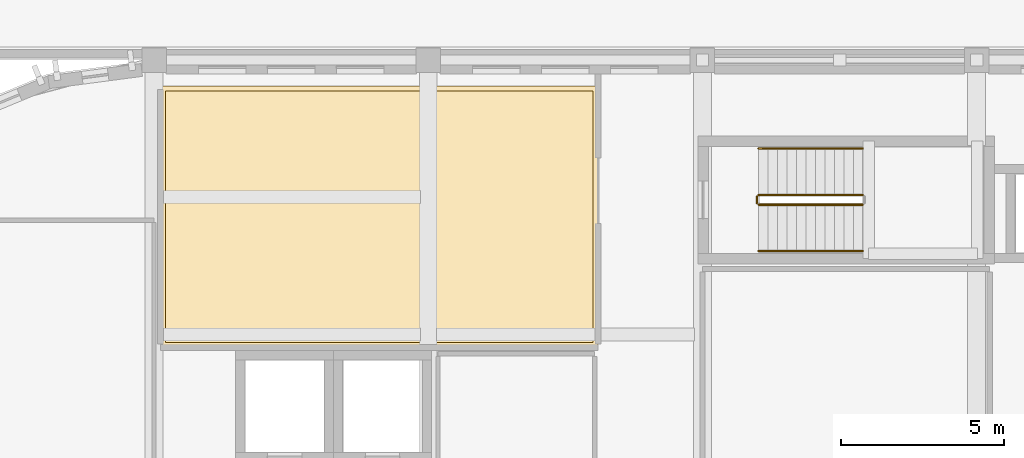
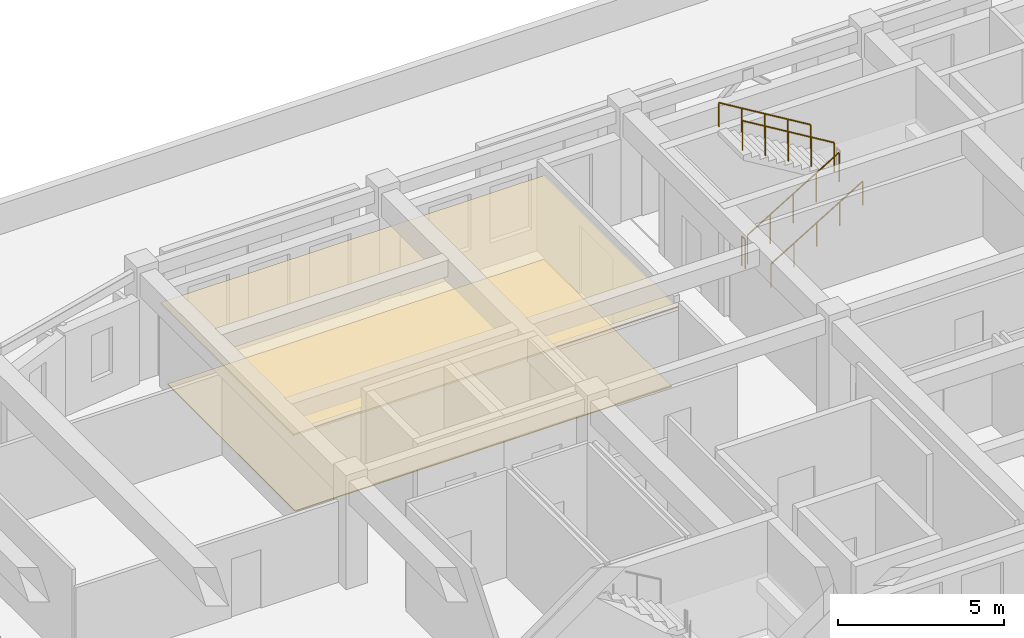
# One storey, part 43 of 46: 5 railings, 2 coverings.
"""IFC4 building model written with IfcOpenShell, lengths in metres."""

from ifc_helpers import new_model, si_unit, direction, frame, origin, origin_2d, place, context, subcontext, project, spatial, polyline, circle, outline, extrude, material, layer, layer_set, type_object, element, save


model = new_model("IFC4")

# Units and contexts
model_context = context("Model", 3, precision=1e-05, world=origin(), true_north=direction((0.0, 1.0)))
body_context = subcontext(model_context, "Body", "Model", "MODEL_VIEW")
ifc_project = project(units=[si_unit("LENGTHUNIT", "METRE"), si_unit("AREAUNIT", "SQUARE_METRE"), si_unit("VOLUMEUNIT", "CUBIC_METRE"), si_unit("PLANEANGLEUNIT", "RADIAN"), si_unit("MASSUNIT", "GRAM", prefix="KILO")], contexts=[model_context])

# Site, building, storey
site_placement = place(None, origin())
site = spatial("IfcSite", under=ifc_project, at=site_placement, CompositionType="ELEMENT")
building_placement = place(site_placement, origin())
building = spatial("IfcBuilding", under=site, at=building_placement, Name="Tarnavel Promenade Courthouse", CompositionType="ELEMENT")
storey_placement = place(building_placement, frame((0.0, 0.0, 14.39990234375)))
storey = spatial("IfcBuildingStorey", under=building, at=storey_placement, Name="L04", CompositionType="ELEMENT", Elevation=14.39990234375)

# Railings
ifc_material_1 = material(Name="Brushed Bronze Tubular Stair Handrail")
railing_type_1 = type_object("IfcRailingType", Name="Brushed Bronze Tubular Stair Handrail (RL-HND-0900)", PredefinedType="HANDRAIL", material=ifc_material_1)
railing_1_placement = place(storey_placement, frame((77.320068359375, 98.550048828125, 0.175048828125)))
element("IfcRailing", 1, at=railing_1_placement, inside=storey, type_object=railing_type_1, Name="L04 ST-03 stair handrail 1", PredefinedType="HANDRAIL", context=body_context, shape_type="SweptSolid", body=[
    extrude(circle(Radius=0.02392578125, at=origin_2d()), frame((0.0, 0.0, 0.8759765625), z_axis=(0.856177665481, 0.0, 0.516681531633), x_axis=(0.0, 1.0, 0.0)), (0.0, 0.0, 1.0), 3.725830078125),
    extrude(circle(Radius=0.02099609375, at=origin_2d()), origin(), (0.0, 0.0, 1.0), 0.851806640625),
    extrude(circle(Radius=0.02099609375, at=origin_2d()), frame((0.79736328125, 0.0, 0.481201171875)), (0.0, 0.0, 1.0), 0.851806640625),
    extrude(circle(Radius=0.02099609375, at=origin_2d()), frame((1.594970703125, 0.0, 0.96240234375)), (0.0, 0.0, 1.0), 0.851806640625),
    extrude(circle(Radius=0.02099609375, at=origin_2d()), frame((2.392578125, 0.0, 1.44384765625)), (0.0, 0.0, 1.0), 0.851806640625),
    extrude(circle(Radius=0.02099609375, at=origin_2d()), frame((3.18994140625, 0.0, 1.925048828125)), (0.0, 0.0, 1.0), 0.851806640625),
])
railing_2_placement = place(storey_placement, frame((80.510009765625, 101.68994140625, 2.275146484375)))
element("IfcRailing", 2, at=railing_2_placement, inside=storey, type_object=railing_type_1, Name="L04 ST-03 stair handrail 2", PredefinedType="HANDRAIL", context=body_context, shape_type="SweptSolid", body=[
    extrude(circle(Radius=0.02392578125, at=origin_2d()), frame((0.0, 0.0, 0.8759765625), z_axis=(-0.856177665481, 0.0, 0.516681531633), x_axis=(0.0, -1.0, 0.0)), (0.0, 0.0, 1.0), 3.725830078125),
    extrude(circle(Radius=0.02099609375, at=origin_2d()), origin(), (0.0, 0.0, 1.0), 0.851806640625),
    extrude(circle(Radius=0.02099609375, at=origin_2d()), frame((-0.79736328125, 0.0, 0.481201171875)), (0.0, 0.0, 1.0), 0.851806640625),
    extrude(circle(Radius=0.02099609375, at=origin_2d()), frame((-1.594970703125, 0.0, 0.96240234375)), (0.0, 0.0, 1.0), 0.851806640625),
    extrude(circle(Radius=0.02099609375, at=origin_2d()), frame((-2.392578125, 0.0, 1.44384765625)), (0.0, 0.0, 1.0), 0.851806640625),
    extrude(circle(Radius=0.02099609375, at=origin_2d()), frame((-3.18994140625, 0.0, 1.925048828125)), (0.0, 0.0, 1.0), 0.851806640625),
])

# Covering
ifc_material_2 = material(Name="Engineered Smoked Oak Courtroom & Chambers Parquet")
ifc_layer_1 = layer(ifc_material_2, 0.031982421875)
ifc_layer_set_1 = layer_set([ifc_layer_1], Name="Engineered Smoked Oak Courtroom & Chambers Parquet")
covering_type_1 = type_object("IfcCoveringType", Name="Engineered Smoked Oak Courtroom & Chambers Parquet (COV-FLR-OAK-32)", PredefinedType="FLOORING", material=ifc_layer_set_1)
covering_1_placement = place(storey_placement, origin())
element("IfcCovering", 3, at=covering_1_placement, inside=storey, type_object=covering_type_1, Name="L04 Constitutional Review Courtroom Architectural Flooring 0029", PredefinedType="FLOORING", context=body_context, shape_type="SweptSolid", body=[
    extrude(outline(polyline([(59.14990234375, 95.75), (72.25, 95.75), (72.25, 103.449951171875), (59.14990234375, 103.449951171875), (59.14990234375, 95.75)])), origin(), (0.0, 0.0, 1.0), 0.031982421875),
])

# Railings
ifc_material_3 = material(Name="Painted Architectural Steel Core Stair Guardrail", Category="steel")
railing_type_2 = type_object("IfcRailingType", Name="Painted Architectural Steel Core Stair Guardrail (RL-GRD-1100)", PredefinedType="GUARDRAIL", material=ifc_material_3)
railing_3_placement = place(storey_placement, frame((77.320068359375, 99.969970703125, 0.175048828125)))
element("IfcRailing", 4, at=railing_3_placement, inside=storey, type_object=railing_type_2, Name="L04 ST-03 stair guard 1", PredefinedType="GUARDRAIL", context=body_context, shape_type="SweptSolid", body=[
    extrude(circle(Radius=0.02392578125, at=origin_2d()), frame((0.0, 0.0, 1.076171875), z_axis=(0.856177665481, 0.0, 0.516681531633), x_axis=(0.0, 1.0, 0.0)), (0.0, 0.0, 1.0), 3.725830078125),
    extrude(circle(Radius=0.02099609375, at=origin_2d()), origin(), (0.0, 0.0, 1.0), 1.052001953125),
    extrude(circle(Radius=0.02099609375, at=origin_2d()), frame((0.79736328125, 0.0, 0.481201171875)), (0.0, 0.0, 1.0), 1.052001953125),
    extrude(circle(Radius=0.02099609375, at=origin_2d()), frame((1.594970703125, 0.0, 0.96240234375)), (0.0, 0.0, 1.0), 1.052001953125),
    extrude(circle(Radius=0.02099609375, at=origin_2d()), frame((2.392578125, 0.0, 1.44384765625)), (0.0, 0.0, 1.0), 1.052001953125),
    extrude(circle(Radius=0.02099609375, at=origin_2d()), frame((3.18994140625, 0.0, 1.925048828125)), (0.0, 0.0, 1.0), 1.052001953125),
])
railing_4_placement = place(storey_placement, frame((80.510009765625, 100.27001953125, 2.275146484375)))
element("IfcRailing", 5, at=railing_4_placement, inside=storey, type_object=railing_type_2, Name="L04 ST-03 stair guard 3", PredefinedType="GUARDRAIL", context=body_context, shape_type="SweptSolid", body=[
    extrude(circle(Radius=0.02392578125, at=origin_2d()), frame((0.0, 0.0, 1.076171875), z_axis=(-0.856177665481, 0.0, 0.516681531633), x_axis=(0.0, -1.0, 0.0)), (0.0, 0.0, 1.0), 3.725830078125),
    extrude(circle(Radius=0.02099609375, at=origin_2d()), origin(), (0.0, 0.0, 1.0), 1.052001953125),
    extrude(circle(Radius=0.02099609375, at=origin_2d()), frame((-0.79736328125, 0.0, 0.481201171875)), (0.0, 0.0, 1.0), 1.052001953125),
    extrude(circle(Radius=0.02099609375, at=origin_2d()), frame((-1.594970703125, 0.0, 0.96240234375)), (0.0, 0.0, 1.0), 1.052001953125),
    extrude(circle(Radius=0.02099609375, at=origin_2d()), frame((-2.392578125, 0.0, 1.44384765625)), (0.0, 0.0, 1.0), 1.052001953125),
    extrude(circle(Radius=0.02099609375, at=origin_2d()), frame((-3.18994140625, 0.0, 1.925048828125)), (0.0, 0.0, 1.0), 1.052001953125),
])
railing_5_placement = place(storey_placement, frame((77.27001953125, 100.02001953125, 0.0)))
element("IfcRailing", 6, at=railing_5_placement, inside=storey, type_object=railing_type_2, Name="L04 ST-03 stair guard 4", PredefinedType="GUARDRAIL", context=body_context, shape_type="SweptSolid", body=[
    extrude(circle(Radius=0.02392578125, at=origin_2d()), frame((0.0, 0.0, 1.076171875), z_axis=(0.0, 1.0, 0.0), x_axis=(-1.0, 0.0, 0.0)), (0.0, 0.0, 1.0), 0.199951171875),
    extrude(circle(Radius=0.02099609375, at=origin_2d()), origin(), (0.0, 0.0, 1.0), 1.052001953125),
    extrude(circle(Radius=0.02099609375, at=origin_2d()), frame((0.0, 0.199951171875, 0.0)), (0.0, 0.0, 1.0), 1.052001953125),
])

# Covering
ifc_material_4 = material(Name="Slatted Acoustic White Oak Baffle Ceiling")
ifc_layer_2 = layer(ifc_material_4, 0.06494140625)
ifc_layer_set_2 = layer_set([ifc_layer_2], Name="Slatted Acoustic White Oak Baffle Ceiling")
covering_type_2 = type_object("IfcCoveringType", Name="Slatted Acoustic White Oak Baffle Ceiling (COV-CLG-OAK-65)", PredefinedType="CEILING", material=ifc_layer_set_2)
covering_2_placement = place(storey_placement, frame((0.0, 0.0, 2.925048828125)))
element("IfcCovering", 7, at=covering_2_placement, inside=storey, type_object=covering_type_2, Name="L04 Constitutional Review Courtroom Acoustic Ceiling 0029", PredefinedType="CEILING", context=body_context, shape_type="SweptSolid", body=[
    extrude(outline(polyline([(59.0, 95.60009765625), (72.39990234375, 95.60009765625), (72.39990234375, 103.60009765625), (59.0, 103.60009765625), (59.0, 95.60009765625)])), origin(), (0.0, 0.0, 1.0), 0.06494140625),
])

save(model, "model.ifc")
